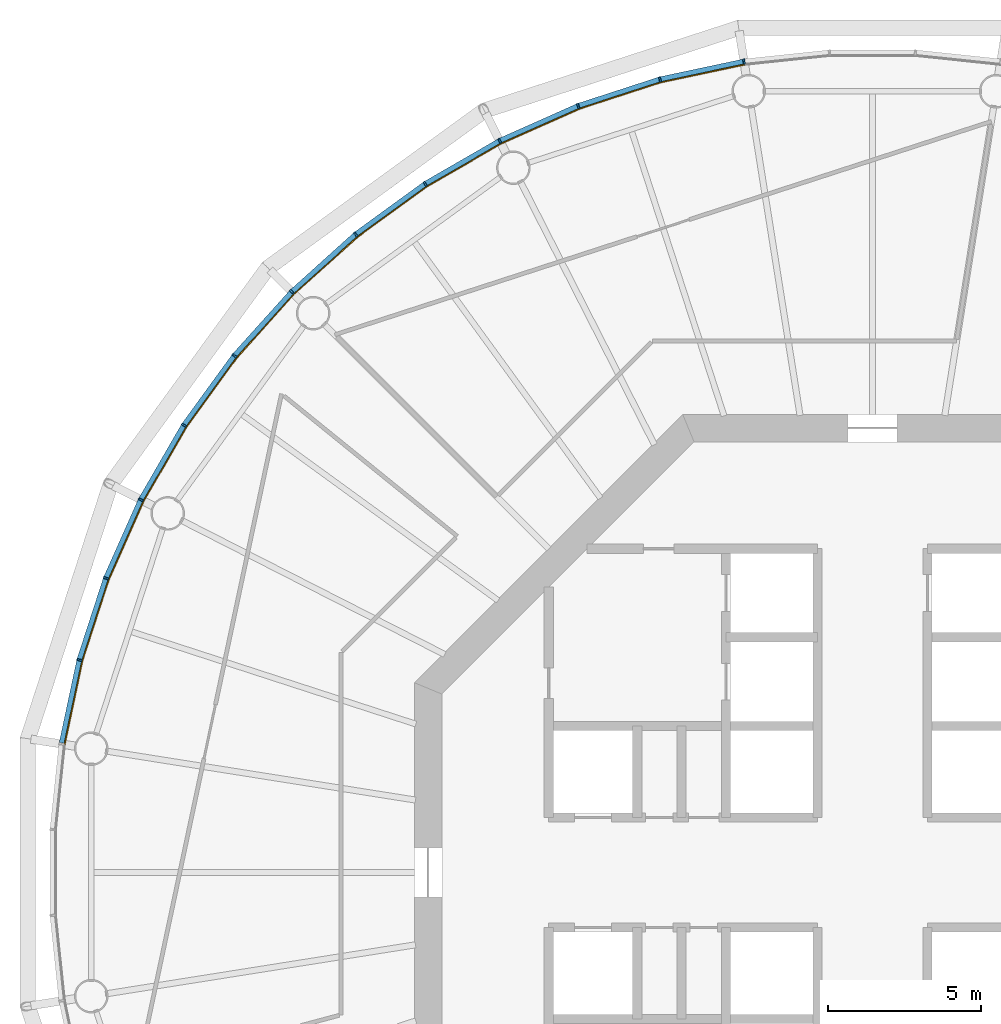
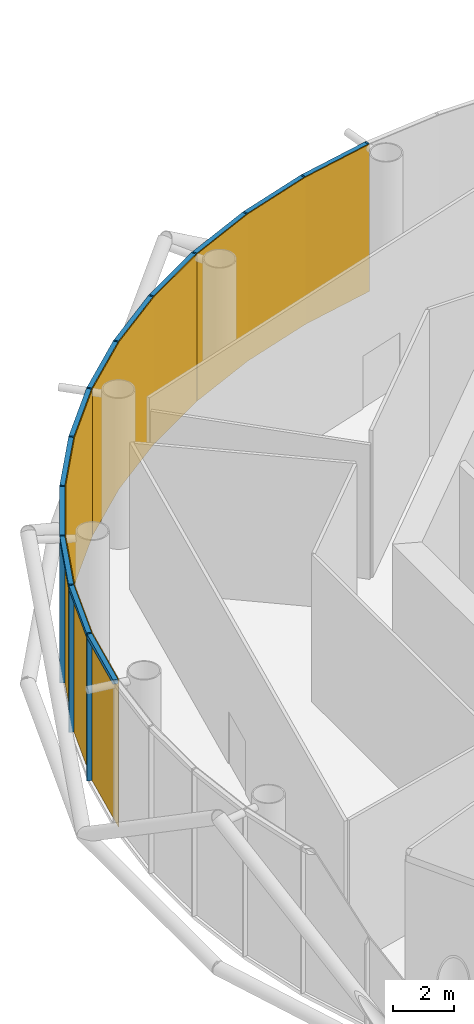
# One storey, part 10 of 14: 24 members, 4 curtain walls.
"""IFC4 building model written with IfcOpenShell, lengths in metres."""

from ifc_helpers import new_model, si_unit, direction, frame, origin, origin_2d, place, context, subcontext, project, spatial, polyline, rectangle, outline, extrude, material, layer, layer_set, material_profile, profile_set, type_object, element, aggregate, save


model = new_model("IFC4")

# Units and contexts
model_context = context("Model", 3, precision=1e-05, world=origin(), true_north=direction((0.0, 1.0)))
body_context = subcontext(model_context, "Body", "Model", "MODEL_VIEW")
ifc_project = project(units=[si_unit("LENGTHUNIT", "METRE"), si_unit("AREAUNIT", "SQUARE_METRE"), si_unit("VOLUMEUNIT", "CUBIC_METRE"), si_unit("PLANEANGLEUNIT", "RADIAN"), si_unit("MASSUNIT", "GRAM", prefix="KILO")], contexts=[model_context])

# Member
ifc_material_1 = material(Name="Anodised aluminium", Category="aluminium")
ifc_material_profile_1 = material_profile(ifc_material_1, rectangle(XDim=0.06005859375, YDim=0.169921875, at=origin_2d()), Name="Mullion 60 x 170 mm anodised aluminium")
ifc_profile_set_1 = profile_set([ifc_material_profile_1], Name="Anodised aluminium")
member_type_1 = type_object("IfcMemberType", Name="Mullion 60 x 170 mm anodised aluminium", PredefinedType="MULLION", material=ifc_profile_set_1)
site_placement = place(None, origin())
building_placement = place(site_placement, origin())
storey_placement = place(building_placement, frame((0.0, 0.0, 262.0)))
member_1_placement = place(storey_placement, frame((85.794189453125, 106.553955078125, 0.0), z_axis=(0.0, 0.0, 1.0), x_axis=(-0.987688340595, -0.15643446504, 0.0)))
member_1 = element("IfcMember", 1, at=member_1_placement, type_object=member_type_1, Name="MULLION L60-15", PredefinedType="MULLION", context=body_context, shape_type="SweptSolid", body=[
    extrude(rectangle(XDim=0.06005859375, YDim=0.169921875, at=origin_2d()), origin(), (0.0, 0.0, 1.0), 5.85009765625),
])

member_2_placement = place(storey_placement, frame((83.041748046875, 105.968994140625, 0.0), z_axis=(0.0, 0.0, 1.0), x_axis=(-0.965925826289, -0.258819045103, 0.0)))
member_2 = element("IfcMember", 2, at=member_2_placement, type_object=member_type_1, Name="MULLION L60-16", PredefinedType="MULLION", context=body_context, shape_type="SweptSolid", body=[
    extrude(rectangle(XDim=0.06005859375, YDim=0.169921875, at=origin_2d()), origin(), (0.0, 0.0, 1.0), 5.85009765625),
])

member_3_placement = place(storey_placement, frame((80.365234375, 105.099365234375, 0.0), z_axis=(0.0, 0.0, 1.0), x_axis=(-0.933580426497, -0.358367949545, 0.0)))
member_3 = element("IfcMember", 3, at=member_3_placement, type_object=member_type_1, Name="MULLION L60-17", PredefinedType="MULLION", context=body_context, shape_type="SweptSolid", body=[
    extrude(rectangle(XDim=0.06005859375, YDim=0.169921875, at=origin_2d()), origin(), (0.0, 0.0, 1.0), 5.85009765625),
])

member_4_placement = place(storey_placement, frame((77.79443359375, 103.95458984375, 0.0), z_axis=(0.0, 0.0, 1.0), x_axis=(-0.891006524188, -0.45399049974, 0.0)))
member_4 = element("IfcMember", 4, at=member_4_placement, type_object=member_type_1, Name="MULLION L60-18", PredefinedType="MULLION", context=body_context, shape_type="SweptSolid", body=[
    extrude(rectangle(XDim=0.06005859375, YDim=0.169921875, at=origin_2d()), origin(), (0.0, 0.0, 1.0), 5.85009765625),
])

member_5_placement = place(storey_placement, frame((75.357421875, 102.547607421875, 0.0), z_axis=(0.0, 0.0, 1.0), x_axis=(-0.838670567945, -0.544639035015, 0.0)))
member_5 = element("IfcMember", 5, at=member_5_placement, type_object=member_type_1, Name="MULLION L60-19", PredefinedType="MULLION", context=body_context, shape_type="SweptSolid", body=[
    extrude(rectangle(XDim=0.06005859375, YDim=0.169921875, at=origin_2d()), origin(), (0.0, 0.0, 1.0), 5.85009765625),
])

member_6_placement = place(storey_placement, frame((73.080810546875, 100.8935546875, 0.0), z_axis=(0.0, 0.0, 1.0), x_axis=(-0.777145961457, -0.62932039105, 0.0)))
member_6 = element("IfcMember", 6, at=member_6_placement, type_object=member_type_1, Name="MULLION L60-20", PredefinedType="MULLION", context=body_context, shape_type="SweptSolid", body=[
    extrude(rectangle(XDim=0.06005859375, YDim=0.169921875, at=origin_2d()), origin(), (0.0, 0.0, 1.0), 5.85009765625),
])

member_7_placement = place(storey_placement, frame((70.989501953125, 99.010498046875, 0.0), z_axis=(0.0, 0.0, 1.0), x_axis=(-0.707106781187, -0.707106781187, 0.0)))
member_7 = element("IfcMember", 7, at=member_7_placement, type_object=member_type_1, Name="MULLION L60-21", PredefinedType="MULLION", context=body_context, shape_type="SweptSolid", body=[
    extrude(rectangle(XDim=0.06005859375, YDim=0.169921875, at=origin_2d()), origin(), (0.0, 0.0, 1.0), 5.85009765625),
])

member_8_placement = place(storey_placement, frame((69.1064453125, 96.919189453125, 0.0), z_axis=(0.0, 0.0, 1.0), x_axis=(-0.62932039105, -0.777145961457, 0.0)))
member_8 = element("IfcMember", 8, at=member_8_placement, type_object=member_type_1, Name="MULLION L60-22", PredefinedType="MULLION", context=body_context, shape_type="SweptSolid", body=[
    extrude(rectangle(XDim=0.06005859375, YDim=0.169921875, at=origin_2d()), origin(), (0.0, 0.0, 1.0), 5.85009765625),
])

member_9_placement = place(storey_placement, frame((67.452392578125, 94.642578125, 0.0), z_axis=(0.0, 0.0, 1.0), x_axis=(-0.544639035015, -0.838670567945, 0.0)))
member_9 = element("IfcMember", 9, at=member_9_placement, type_object=member_type_1, Name="MULLION L60-23", PredefinedType="MULLION", context=body_context, shape_type="SweptSolid", body=[
    extrude(rectangle(XDim=0.06005859375, YDim=0.169921875, at=origin_2d()), origin(), (0.0, 0.0, 1.0), 5.85009765625),
])

member_10_placement = place(storey_placement, frame((66.04541015625, 92.20556640625, 0.0), z_axis=(0.0, 0.0, 1.0), x_axis=(-0.45399049974, -0.891006524188, 0.0)))
member_10 = element("IfcMember", 10, at=member_10_placement, type_object=member_type_1, Name="MULLION L60-24", PredefinedType="MULLION", context=body_context, shape_type="SweptSolid", body=[
    extrude(rectangle(XDim=0.06005859375, YDim=0.169921875, at=origin_2d()), origin(), (0.0, 0.0, 1.0), 5.85009765625),
])

member_11_placement = place(storey_placement, frame((64.900634765625, 89.634765625, 0.0), z_axis=(0.0, 0.0, 1.0), x_axis=(-0.358367949545, -0.933580426497, 0.0)))
member_11 = element("IfcMember", 11, at=member_11_placement, type_object=member_type_1, Name="MULLION L60-25", PredefinedType="MULLION", context=body_context, shape_type="SweptSolid", body=[
    extrude(rectangle(XDim=0.06005859375, YDim=0.169921875, at=origin_2d()), origin(), (0.0, 0.0, 1.0), 5.85009765625),
])

member_12_placement = place(storey_placement, frame((64.031005859375, 86.958251953125, 0.0), z_axis=(0.0, 0.0, 1.0), x_axis=(-0.258819045103, -0.965925826289, 0.0)))
member_12 = element("IfcMember", 12, at=member_12_placement, type_object=member_type_1, Name="MULLION L60-26", PredefinedType="MULLION", context=body_context, shape_type="SweptSolid", body=[
    extrude(rectangle(XDim=0.06005859375, YDim=0.169921875, at=origin_2d()), origin(), (0.0, 0.0, 1.0), 5.85009765625),
])

ifc_material_2 = material(Name="Anodised aluminium", Category="aluminium")
ifc_material_profile_2 = material_profile(ifc_material_2, rectangle(XDim=0.169921875, YDim=0.1650390625, at=origin_2d()), Name="Transom 165 x 170 mm anodised aluminium")
ifc_profile_set_2 = profile_set([ifc_material_profile_2], Name="Anodised aluminium")
member_type_2 = type_object("IfcMemberType", Name="Transom 165 x 170 mm anodised aluminium", PredefinedType="USERDEFINED", material=ifc_profile_set_2)
member_13_placement = place(storey_placement, frame((85.760498046875, 106.546875, 5.767578125), z_axis=(-0.97814212115, -0.207937468562, 0.0), x_axis=(0.207937468562, -0.97814212115, 0.0)))
member_13 = element("IfcMember", 13, at=member_13_placement, type_object=member_type_2, Name="TRANSOM L60-15", ObjectType="TRANSOM", PredefinedType="USERDEFINED", context=body_context, shape_type="SweptSolid", body=[
    extrude(rectangle(XDim=0.169921875, YDim=0.1650390625, at=origin_2d()), origin(), (0.0, 0.0, 1.0), 2.7451171875),
])

member_14_placement = place(storey_placement, frame((83.0087890625, 105.95849609375, 5.767578125), z_axis=(-0.951048445774, -0.309041831781, 0.0), x_axis=(0.309041831781, -0.951048445774, 0.0)))
member_14 = element("IfcMember", 14, at=member_14_placement, type_object=member_type_2, Name="TRANSOM L60-16", ObjectType="TRANSOM", PredefinedType="USERDEFINED", context=body_context, shape_type="SweptSolid", body=[
    extrude(rectangle(XDim=0.169921875, YDim=0.1650390625, at=origin_2d()), origin(), (0.0, 0.0, 1.0), 2.7451171875),
])

member_15_placement = place(storey_placement, frame((80.333740234375, 105.08544921875, 5.767578125), z_axis=(-0.913525267704, -0.406781987391, 0.0), x_axis=(0.406781987391, -0.913525267704, 0.0)))
member_15 = element("IfcMember", 15, at=member_15_placement, type_object=member_type_2, Name="TRANSOM L60-17", ObjectType="TRANSOM", PredefinedType="USERDEFINED", context=body_context, shape_type="SweptSolid", body=[
    extrude(rectangle(XDim=0.169921875, YDim=0.1650390625, at=origin_2d()), origin(), (0.0, 0.0, 1.0), 2.7451171875),
])

member_16_placement = place(storey_placement, frame((77.7646484375, 103.9375, 5.767578125), z_axis=(-0.866034527326, -0.49998419723, 0.0), x_axis=(0.49998419723, -0.866034527326, 0.0)))
member_16 = element("IfcMember", 16, at=member_16_placement, type_object=member_type_2, Name="TRANSOM L60-18", ObjectType="TRANSOM", PredefinedType="USERDEFINED", context=body_context, shape_type="SweptSolid", body=[
    extrude(rectangle(XDim=0.169921875, YDim=0.1650390625, at=origin_2d()), origin(), (0.0, 0.0, 1.0), 2.7451171875),
])

member_17_placement = place(storey_placement, frame((75.329345703125, 102.527587890625, 5.767578125), z_axis=(-0.808959086484, -0.587864947412, 0.0), x_axis=(0.587864947412, -0.808959086484, 0.0)))
member_17 = element("IfcMember", 17, at=member_17_placement, type_object=member_type_2, Name="TRANSOM L60-19", ObjectType="TRANSOM", PredefinedType="USERDEFINED", context=body_context, shape_type="SweptSolid", body=[
    extrude(rectangle(XDim=0.169921875, YDim=0.1650390625, at=origin_2d()), origin(), (0.0, 0.0, 1.0), 2.7451171875),
])

member_18_placement = place(storey_placement, frame((73.054931640625, 100.87060546875, 5.767578125), z_axis=(-0.743134927907, -0.669141598561, 0.0), x_axis=(0.669141598561, -0.743134927907, 0.0)))
member_18 = element("IfcMember", 18, at=member_18_placement, type_object=member_type_2, Name="TRANSOM L60-20", ObjectType="TRANSOM", PredefinedType="USERDEFINED", context=body_context, shape_type="SweptSolid", body=[
    extrude(rectangle(XDim=0.169921875, YDim=0.1650390625, at=origin_2d()), origin(), (0.0, 0.0, 1.0), 2.7451171875),
])

member_19_placement = place(storey_placement, frame((70.96630859375, 98.985107421875, 5.767578125), z_axis=(-0.669141598561, -0.743134927907, 0.0), x_axis=(0.743134927907, -0.669141598561, 0.0)))
member_19 = element("IfcMember", 19, at=member_19_placement, type_object=member_type_2, Name="TRANSOM L60-21", ObjectType="TRANSOM", PredefinedType="USERDEFINED", context=body_context, shape_type="SweptSolid", body=[
    extrude(rectangle(XDim=0.169921875, YDim=0.1650390625, at=origin_2d()), origin(), (0.0, 0.0, 1.0), 2.7451171875),
])

member_20_placement = place(storey_placement, frame((69.086181640625, 96.891357421875, 5.767578125), z_axis=(-0.587864947412, -0.808959086484, 0.0), x_axis=(0.808959086484, -0.587864947412, 0.0)))
member_20 = element("IfcMember", 20, at=member_20_placement, type_object=member_type_2, Name="TRANSOM L60-22", ObjectType="TRANSOM", PredefinedType="USERDEFINED", context=body_context, shape_type="SweptSolid", body=[
    extrude(rectangle(XDim=0.169921875, YDim=0.1650390625, at=origin_2d()), origin(), (0.0, 0.0, 1.0), 2.7451171875),
])

member_21_placement = place(storey_placement, frame((67.43505859375, 94.61279296875, 5.767578125), z_axis=(-0.49998419723, -0.866034527326, 0.0), x_axis=(0.866034527326, -0.49998419723, 0.0)))
member_21 = element("IfcMember", 21, at=member_21_placement, type_object=member_type_2, Name="TRANSOM L60-23", ObjectType="TRANSOM", PredefinedType="USERDEFINED", context=body_context, shape_type="SweptSolid", body=[
    extrude(rectangle(XDim=0.169921875, YDim=0.1650390625, at=origin_2d()), origin(), (0.0, 0.0, 1.0), 2.7451171875),
])

member_22_placement = place(storey_placement, frame((66.03125, 92.174072265625, 5.767578125), z_axis=(-0.406781987391, -0.913525267704, 0.0), x_axis=(0.913525267704, -0.406781987391, 0.0)))
member_22 = element("IfcMember", 22, at=member_22_placement, type_object=member_type_2, Name="TRANSOM L60-24", ObjectType="TRANSOM", PredefinedType="USERDEFINED", context=body_context, shape_type="SweptSolid", body=[
    extrude(rectangle(XDim=0.169921875, YDim=0.1650390625, at=origin_2d()), origin(), (0.0, 0.0, 1.0), 2.7451171875),
])

member_23_placement = place(storey_placement, frame((64.889892578125, 89.60205078125, 5.767578125), z_axis=(-0.309041831781, -0.951048445774, 0.0), x_axis=(0.951048445774, -0.309041831781, 0.0)))
member_23 = element("IfcMember", 23, at=member_23_placement, type_object=member_type_2, Name="TRANSOM L60-25", ObjectType="TRANSOM", PredefinedType="USERDEFINED", context=body_context, shape_type="SweptSolid", body=[
    extrude(rectangle(XDim=0.169921875, YDim=0.1650390625, at=origin_2d()), origin(), (0.0, 0.0, 1.0), 2.7451171875),
])

member_24_placement = place(storey_placement, frame((64.02392578125, 86.924560546875, 5.767578125), z_axis=(-0.207937468562, -0.97814212115, 0.0), x_axis=(0.97814212115, -0.207937468562, 0.0)))
member_24 = element("IfcMember", 24, at=member_24_placement, type_object=member_type_2, Name="TRANSOM L60-26", ObjectType="TRANSOM", PredefinedType="USERDEFINED", context=body_context, shape_type="SweptSolid", body=[
    extrude(rectangle(XDim=0.169921875, YDim=0.1650390625, at=origin_2d()), origin(), (0.0, 0.0, 1.0), 2.7451171875),
])

# Site, building, storey
site = spatial("IfcSite", under=ifc_project, at=site_placement, CompositionType="ELEMENT")
building = spatial("IfcBuilding", under=site, at=building_placement, Name="Entoto Ring Tower", CompositionType="ELEMENT")
storey = spatial("IfcBuildingStorey", under=building, at=storey_placement, Name="L60", CompositionType="ELEMENT", Elevation=262.0)

# Curtain wall
ifc_material_3 = material(Name="Clear low-iron glass", Category="glass")
ifc_layer = layer(ifc_material_3, 0.031982421875)
ifc_layer_set = layer_set([ifc_layer], Name="Clear low-iron glass")
curtain_wall_type = type_object("IfcCurtainWallType", Name="Curtain wall system CW4 glazing 32 mm", PredefinedType="NOTDEFINED", material=ifc_layer_set)
curtain_wall_1_placement = place(storey_placement, origin())
curtain_wall_1 = element("IfcCurtainWall", 25, at=curtain_wall_1_placement, inside=storey, type_object=curtain_wall_type, Name="CW4 L60-06", PredefinedType="NOTDEFINED", context=body_context, shape_type="SweptSolid", body=[
    extrude(outline(polyline([(85.8076171875, 106.469970703125), (83.063720703125, 105.88671875), (80.395751953125, 105.02001953125), (77.8330078125, 103.87890625), (77.84765625, 103.850341796875), (80.4072265625, 104.989990234375), (83.072021484375, 105.85595703125), (85.8125, 106.4384765625), (85.8076171875, 106.469970703125)])), origin(), (0.0, 0.0, 1.0), 5.85009765625),
])

aggregate(curtain_wall_1, [member_1, member_2, member_3, member_13, member_14, member_15])

curtain_wall_2_placement = place(storey_placement, origin())
curtain_wall_2 = element("IfcCurtainWall", 26, at=curtain_wall_2_placement, inside=storey, type_object=curtain_wall_type, Name="CW4 L60-07", PredefinedType="NOTDEFINED", context=body_context, shape_type="SweptSolid", body=[
    extrude(outline(polyline([(77.8330078125, 103.87890625), (75.403564453125, 102.476318359375), (73.13427734375, 100.827392578125), (71.049560546875, 98.950439453125), (71.072265625, 98.927734375), (73.154296875, 100.802490234375), (75.421142578125, 102.449462890625), (77.84765625, 103.850341796875), (77.8330078125, 103.87890625)])), origin(), (0.0, 0.0, 1.0), 5.85009765625),
])

aggregate(curtain_wall_2, [member_4, member_5, member_6, member_16, member_17, member_18])

curtain_wall_3_placement = place(storey_placement, origin())
curtain_wall_3 = element("IfcCurtainWall", 27, at=curtain_wall_3_placement, inside=storey, type_object=curtain_wall_type, Name="CW4 L60-08", PredefinedType="NOTDEFINED", context=body_context, shape_type="SweptSolid", body=[
    extrude(outline(polyline([(71.049560546875, 98.950439453125), (69.172607421875, 96.86572265625), (67.523681640625, 94.596435546875), (66.12109375, 92.1669921875), (66.149658203125, 92.15234375), (67.550537109375, 94.578857421875), (69.197509765625, 96.845703125), (71.072265625, 98.927734375), (71.049560546875, 98.950439453125)])), origin(), (0.0, 0.0, 1.0), 5.85009765625),
])

aggregate(curtain_wall_3, [member_7, member_8, member_9, member_19, member_20, member_21])

curtain_wall_4_placement = place(storey_placement, origin())
curtain_wall_4 = element("IfcCurtainWall", 28, at=curtain_wall_4_placement, inside=storey, type_object=curtain_wall_type, Name="CW4 L60-09", PredefinedType="NOTDEFINED", context=body_context, shape_type="SweptSolid", body=[
    extrude(outline(polyline([(66.12109375, 92.1669921875), (64.97998046875, 89.604248046875), (64.11328125, 86.936279296875), (63.530029296875, 84.1923828125), (63.5615234375, 84.1875), (64.14404296875, 86.927978515625), (65.010009765625, 89.5927734375), (66.149658203125, 92.15234375), (66.12109375, 92.1669921875)])), origin(), (0.0, 0.0, 1.0), 5.85009765625),
])

aggregate(curtain_wall_4, [member_10, member_11, member_12, member_22, member_23, member_24])

save(model, "model.ifc")
